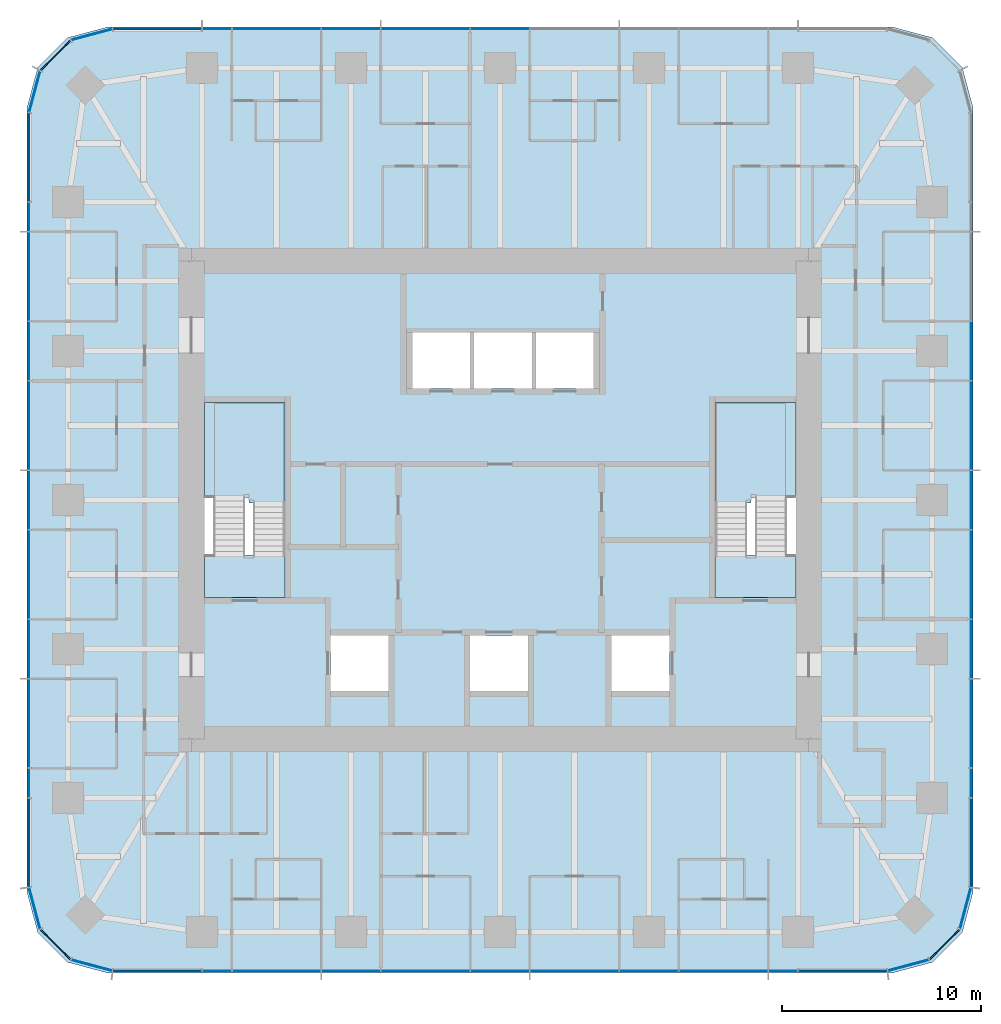
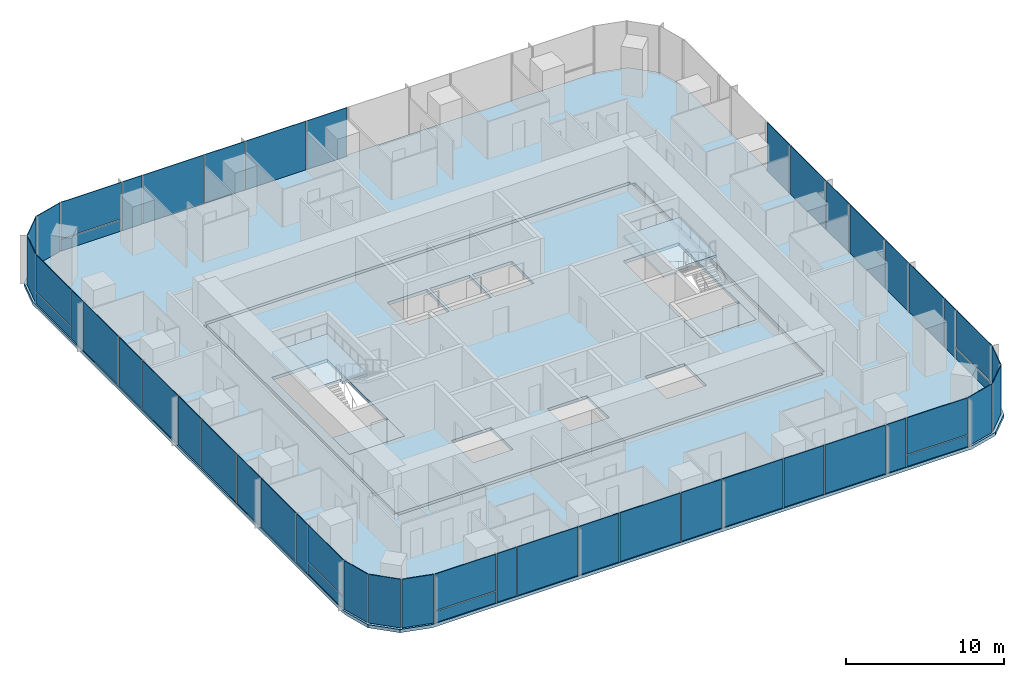
# One storey, part 7 of 12: 51 plates, 6 slabs, 9 elements without a shape of their own.
"""IFC4 building model written with IfcOpenShell, lengths in metres."""

from ifc_helpers import new_model, si_unit, direction, frame, origin, origin_2d, place, context, subcontext, project, spatial, polyline, rectangle, outline, extrude, material, layer, layer_set, type_object, element, aggregate, save


model = new_model("IFC4")

# Units and contexts
model_context = context("Model", 3, precision=1e-05, world=origin(), true_north=direction((0.0, 1.0)))
body_context = subcontext(model_context, "Body", "Model", "MODEL_VIEW")
ifc_project = project(units=[si_unit("LENGTHUNIT", "METRE"), si_unit("AREAUNIT", "SQUARE_METRE"), si_unit("VOLUMEUNIT", "CUBIC_METRE"), si_unit("PLANEANGLEUNIT", "RADIAN"), si_unit("MASSUNIT", "GRAM", prefix="KILO")], contexts=[model_context])

# Site, building, storey
site_placement = place(None, origin())
site = spatial("IfcSite", under=ifc_project, at=site_placement, CompositionType="ELEMENT")
building_placement = place(site_placement, origin())
building = spatial("IfcBuilding", under=site, at=building_placement, Name="Khuree Lantern Residences", CompositionType="ELEMENT")
storey_placement = place(building_placement, frame((0.0, 0.0, 300.75)))
storey = spatial("IfcBuildingStorey", under=building, at=storey_placement, Name="L75", CompositionType="ELEMENT", Elevation=300.75)

# Slab
ifc_material_1 = material(Name="Concrete C35/45", Category="concrete")
ifc_layer_1 = layer(ifc_material_1, 0.25)
ifc_layer_set_1 = layer_set([ifc_layer_1], Name="CFL250 CORE FLOOR SLAB 250")
slab_type_1 = type_object("IfcSlabType", Name="CFL250 CORE FLOOR SLAB 250", PredefinedType="FLOOR", material=ifc_layer_set_1)
slab_1_placement = place(storey_placement, frame((0.0, 0.0, -0.25)))
element("IfcSlab", 1, at=slab_1_placement, inside=storey, type_object=slab_type_1, Name="Core floor L75", PredefinedType="FLOOR", context=body_context, shape_type="SweptSolid", body=[
    extrude(outline(polyline([(-15.5, -12.0), (-15.5, 12.0), (15.5, 12.0), (15.5, -12.0), (-15.5, -12.0)]), holes=[polyline([(10.800048828125, 4.89990234375), (10.800048828125, -4.89990234375), (14.85009765625, -4.89990234375), (14.85009765625, 4.89990234375), (10.800048828125, 4.89990234375)]), polyline([(5.60009765625, -6.800048828125), (5.60009765625, -9.60009765625), (8.5, -9.60009765625), (8.5, -6.800048828125), (5.60009765625, -6.800048828125)]), polyline([(1.800048828125, 8.39990234375), (1.800048828125, 5.60009765625), (4.699951171875, 5.60009765625), (4.699951171875, 8.39990234375), (1.800048828125, 8.39990234375)]), polyline([(-1.300048828125, 8.39990234375), (-1.300048828125, 5.60009765625), (1.60009765625, 5.60009765625), (1.60009765625, 8.39990234375), (-1.300048828125, 8.39990234375)]), polyline([(-1.5, -6.800048828125), (-1.5, -9.60009765625), (1.39990234375, -9.60009765625), (1.39990234375, -6.800048828125), (-1.5, -6.800048828125)]), polyline([(-4.39990234375, 8.39990234375), (-4.39990234375, 5.60009765625), (-1.5, 5.60009765625), (-1.5, 8.39990234375), (-4.39990234375, 8.39990234375)]), polyline([(-8.5, -6.800048828125), (-8.5, -9.60009765625), (-5.60009765625, -9.60009765625), (-5.60009765625, -6.800048828125), (-8.5, -6.800048828125)]), polyline([(-14.85009765625, 4.89990234375), (-14.85009765625, -4.89990234375), (-10.800048828125, -4.89990234375), (-10.800048828125, 4.89990234375), (-14.85009765625, 4.89990234375)])]), origin(), (0.0, 0.0, 1.0), 0.25),
])

# Curtain wall, plates
ifc_material_2 = material(Name="Bronze anodised aluminium", Category="aluminium")
curtain_wall_type_1 = type_object("IfcCurtainWallType", Name="CW-T2 TOWER CORNER CURTAIN WALL", PredefinedType="USERDEFINED", material=ifc_material_2)
curtain_wall_1_placement = place(storey_placement, origin())
curtain_wall_1 = element("IfcCurtainWall", 2, at=curtain_wall_1_placement, inside=storey, type_object=curtain_wall_type_1, Name="L75 SOUTH-EAST CORNER CURTAIN WALL", ObjectType="Faceted corner curtain wall", PredefinedType="USERDEFINED")
ifc_material_3 = material(Name="Bronze tinted triple glazing", Category="glass")
ifc_layer_2 = layer(ifc_material_3, 0.048095703125)
ifc_layer_set_2 = layer_set([ifc_layer_2], Name="FACET PANEL P4")
plate_type_1 = type_object("IfcPlateType", Name="FACET PANEL P4", PredefinedType="CURTAIN_PANEL", material=ifc_layer_set_2)
plate_1_placement = place(storey_placement, frame((20.498046875, -23.369140625, 0.0), z_axis=(0.0, 0.0, 1.0), x_axis=(0.965925861257, 0.2588189146, 0.0)))
plate_1 = element("IfcPlate", 3, at=plate_1_placement, type_object=plate_type_1, Name="L75 SOUTH-EAST CORNER PANEL 1.1", PredefinedType="CURTAIN_PANEL", context=body_context, shape_type="SweptSolid", body=[
    extrude(rectangle(XDim=2.09814453125, YDim=0.048095703125, at=origin_2d()), origin(), (0.0, 0.0, 1.0), 3.75),
])
plate_2_placement = place(storey_placement, frame((22.318603515625, -22.318603515625, 0.0), z_axis=(0.0, 0.0, 1.0), x_axis=(0.707106781187, 0.707106781187, 0.0)))
plate_2 = element("IfcPlate", 4, at=plate_2_placement, type_object=plate_type_1, Name="L75 SOUTH-EAST CORNER PANEL 2.1", PredefinedType="CURTAIN_PANEL", context=body_context, shape_type="SweptSolid", body=[
    extrude(rectangle(XDim=2.093994140625, YDim=0.048095703125, at=origin_2d()), origin(), (0.0, 0.0, 1.0), 3.75),
])
plate_3_placement = place(storey_placement, frame((23.369140625, -20.498046875, 0.0), z_axis=(0.0, 0.0, 1.0), x_axis=(0.2588189146, 0.965925861257, 0.0)))
plate_3 = element("IfcPlate", 5, at=plate_3_placement, type_object=plate_type_1, Name="L75 SOUTH-EAST CORNER PANEL 3.1", PredefinedType="CURTAIN_PANEL", context=body_context, shape_type="SweptSolid", body=[
    extrude(rectangle(XDim=2.09814453125, YDim=0.048095703125, at=origin_2d()), origin(), (0.0, 0.0, 1.0), 3.75),
])
aggregate(curtain_wall_1, [plate_1, plate_2, plate_3])

curtain_wall_2_placement = place(storey_placement, origin())
curtain_wall_2 = element("IfcCurtainWall", 6, at=curtain_wall_2_placement, inside=storey, type_object=curtain_wall_type_1, Name="L75 NORTH-WEST CORNER CURTAIN WALL", ObjectType="Faceted corner curtain wall", PredefinedType="USERDEFINED")
plate_4_placement = place(storey_placement, frame((-20.498046875, 23.369140625, 0.0), z_axis=(0.0, 0.0, 1.0), x_axis=(-0.965925861257, -0.2588189146, 0.0)))
plate_4 = element("IfcPlate", 7, at=plate_4_placement, type_object=plate_type_1, Name="L75 NORTH-WEST CORNER PANEL 29.1", PredefinedType="CURTAIN_PANEL", context=body_context, shape_type="SweptSolid", body=[
    extrude(rectangle(XDim=2.09814453125, YDim=0.048095703125, at=origin_2d()), origin(), (0.0, 0.0, 1.0), 3.75),
])
plate_5_placement = place(storey_placement, frame((-22.318603515625, 22.318603515625, 0.0), z_axis=(0.0, 0.0, 1.0), x_axis=(-0.707106781187, -0.707106781187, 0.0)))
plate_5 = element("IfcPlate", 8, at=plate_5_placement, type_object=plate_type_1, Name="L75 NORTH-WEST CORNER PANEL 30.1", PredefinedType="CURTAIN_PANEL", context=body_context, shape_type="SweptSolid", body=[
    extrude(rectangle(XDim=2.093994140625, YDim=0.048095703125, at=origin_2d()), origin(), (0.0, 0.0, 1.0), 3.75),
])
plate_6_placement = place(storey_placement, frame((-23.369140625, 20.498046875, 0.0), z_axis=(0.0, 0.0, 1.0), x_axis=(-0.2588189146, -0.965925861257, 0.0)))
plate_6 = element("IfcPlate", 9, at=plate_6_placement, type_object=plate_type_1, Name="L75 NORTH-WEST CORNER PANEL 31.1", PredefinedType="CURTAIN_PANEL", context=body_context, shape_type="SweptSolid", body=[
    extrude(rectangle(XDim=2.09814453125, YDim=0.048095703125, at=origin_2d()), origin(), (0.0, 0.0, 1.0), 3.75),
])
aggregate(curtain_wall_2, [plate_4, plate_5, plate_6])

curtain_wall_3_placement = place(storey_placement, origin())
curtain_wall_3 = element("IfcCurtainWall", 10, at=curtain_wall_3_placement, inside=storey, type_object=curtain_wall_type_1, Name="L75 SOUTH-WEST CORNER CURTAIN WALL", ObjectType="Faceted corner curtain wall", PredefinedType="USERDEFINED")
plate_7_placement = place(storey_placement, frame((-23.369140625, -20.498046875, 0.0), z_axis=(0.0, 0.0, 1.0), x_axis=(0.2588189146, -0.965925861257, 0.0)))
plate_7 = element("IfcPlate", 11, at=plate_7_placement, type_object=plate_type_1, Name="L75 SOUTH-WEST CORNER PANEL 43.1", PredefinedType="CURTAIN_PANEL", context=body_context, shape_type="SweptSolid", body=[
    extrude(rectangle(XDim=2.09814453125, YDim=0.048095703125, at=origin_2d()), origin(), (0.0, 0.0, 1.0), 3.75),
])
plate_8_placement = place(storey_placement, frame((-22.318603515625, -22.318603515625, 0.0), z_axis=(0.0, 0.0, 1.0), x_axis=(0.707106781187, -0.707106781187, 0.0)))
plate_8 = element("IfcPlate", 12, at=plate_8_placement, type_object=plate_type_1, Name="L75 SOUTH-WEST CORNER PANEL 44.1", PredefinedType="CURTAIN_PANEL", context=body_context, shape_type="SweptSolid", body=[
    extrude(rectangle(XDim=2.093994140625, YDim=0.048095703125, at=origin_2d()), origin(), (0.0, 0.0, 1.0), 3.75),
])
plate_9_placement = place(storey_placement, frame((-20.498046875, -23.369140625, 0.0), z_axis=(0.0, 0.0, 1.0), x_axis=(0.965925861257, -0.2588189146, 0.0)))
plate_9 = element("IfcPlate", 13, at=plate_9_placement, type_object=plate_type_1, Name="L75 SOUTH-WEST CORNER PANEL 45.1", PredefinedType="CURTAIN_PANEL", context=body_context, shape_type="SweptSolid", body=[
    extrude(rectangle(XDim=2.09814453125, YDim=0.048095703125, at=origin_2d()), origin(), (0.0, 0.0, 1.0), 3.75),
])
aggregate(curtain_wall_3, [plate_7, plate_8, plate_9])

curtain_wall_type_2 = type_object("IfcCurtainWallType", Name="CW-T1 TOWER FACE CURTAIN WALL", PredefinedType="USERDEFINED", material=ifc_material_2)
curtain_wall_4_placement = place(storey_placement, origin())
curtain_wall_4 = element("IfcCurtainWall", 14, at=curtain_wall_4_placement, inside=storey, type_object=curtain_wall_type_2, Name="L75 EAST FACE CURTAIN WALL", ObjectType="Stick-built curtain wall", PredefinedType="USERDEFINED")
ifc_material_4 = material(Name="Bronze tinted triple glazing with a ceramic-fritted spandrel band", Category="glass")
ifc_layer_3 = layer(ifc_material_4, 0.048095703125)
ifc_layer_set_3 = layer_set([ifc_layer_3], Name="FIXED LIGHT PANEL P11")
plate_type_2 = type_object("IfcPlateType", Name="FIXED LIGHT PANEL P11", PredefinedType="CURTAIN_PANEL", material=ifc_layer_set_3)
plate_10_placement = place(storey_placement, frame((23.64990234375, -11.219970703125, 0.0), z_axis=(0.0, 0.0, 1.0), x_axis=(0.0, 1.0, 0.0)))
plate_10 = element("IfcPlate", 15, at=plate_10_placement, type_object=plate_type_2, Name="L75 EAST FACE PANEL 6.1", PredefinedType="CURTAIN_PANEL", context=body_context, shape_type="SweptSolid", body=[
    extrude(rectangle(XDim=4.423095703125, YDim=0.048095703125, at=origin_2d()), origin(), (0.0, 0.0, 1.0), 3.75),
])
plate_11_placement = place(storey_placement, frame((23.64990234375, -3.739990234375, 0.0), z_axis=(0.0, 0.0, 1.0), x_axis=(0.0, 1.0, 0.0)))
plate_11 = element("IfcPlate", 16, at=plate_11_placement, type_object=plate_type_2, Name="L75 EAST FACE PANEL 8.1", PredefinedType="CURTAIN_PANEL", context=body_context, shape_type="SweptSolid", body=[
    extrude(rectangle(XDim=4.423095703125, YDim=0.048095703125, at=origin_2d()), origin(), (0.0, 0.0, 1.0), 3.75),
])
plate_12_placement = place(storey_placement, frame((23.64990234375, 3.739990234375, 0.0), z_axis=(0.0, 0.0, 1.0), x_axis=(0.0, 1.0, 0.0)))
plate_12 = element("IfcPlate", 17, at=plate_12_placement, type_object=plate_type_2, Name="L75 EAST FACE PANEL 10.1", PredefinedType="CURTAIN_PANEL", context=body_context, shape_type="SweptSolid", body=[
    extrude(rectangle(XDim=4.423095703125, YDim=0.048095703125, at=origin_2d()), origin(), (0.0, 0.0, 1.0), 3.75),
])

curtain_wall_5_placement = place(storey_placement, origin())
curtain_wall_5 = element("IfcCurtainWall", 18, at=curtain_wall_5_placement, inside=storey, type_object=curtain_wall_type_2, Name="L75 NORTH FACE CURTAIN WALL", ObjectType="Stick-built curtain wall", PredefinedType="USERDEFINED")
plate_13_placement = place(storey_placement, frame((-3.739990234375, 23.64990234375, 0.0), z_axis=(0.0, 0.0, 1.0), x_axis=(-1.0, 0.0, 0.0)))
plate_13 = element("IfcPlate", 19, at=plate_13_placement, type_object=plate_type_2, Name="L75 NORTH FACE PANEL 24.1", PredefinedType="CURTAIN_PANEL", context=body_context, shape_type="SweptSolid", body=[
    extrude(rectangle(XDim=4.423095703125, YDim=0.048095703125, at=origin_2d()), origin(), (0.0, 0.0, 1.0), 3.75),
])
plate_14_placement = place(storey_placement, frame((-11.219970703125, 23.64990234375, 0.0), z_axis=(0.0, 0.0, 1.0), x_axis=(-1.0, 0.0, 0.0)))
plate_14 = element("IfcPlate", 20, at=plate_14_placement, type_object=plate_type_2, Name="L75 NORTH FACE PANEL 26.1", PredefinedType="CURTAIN_PANEL", context=body_context, shape_type="SweptSolid", body=[
    extrude(rectangle(XDim=4.423095703125, YDim=0.048095703125, at=origin_2d()), origin(), (0.0, 0.0, 1.0), 3.75),
])

curtain_wall_6_placement = place(storey_placement, origin())
curtain_wall_6 = element("IfcCurtainWall", 21, at=curtain_wall_6_placement, inside=storey, type_object=curtain_wall_type_2, Name="L75 WEST FACE CURTAIN WALL", ObjectType="Stick-built curtain wall", PredefinedType="USERDEFINED")
plate_15_placement = place(storey_placement, frame((-23.64990234375, 11.219970703125, 0.0), z_axis=(0.0, 0.0, 1.0), x_axis=(0.0, -1.0, 0.0)))
plate_15 = element("IfcPlate", 22, at=plate_15_placement, type_object=plate_type_2, Name="L75 WEST FACE PANEL 34.1", PredefinedType="CURTAIN_PANEL", context=body_context, shape_type="SweptSolid", body=[
    extrude(rectangle(XDim=4.423095703125, YDim=0.048095703125, at=origin_2d()), origin(), (0.0, 0.0, 1.0), 3.75),
])
plate_16_placement = place(storey_placement, frame((-23.64990234375, 3.739990234375, 0.0), z_axis=(0.0, 0.0, 1.0), x_axis=(0.0, -1.0, 0.0)))
plate_16 = element("IfcPlate", 23, at=plate_16_placement, type_object=plate_type_2, Name="L75 WEST FACE PANEL 36.1", PredefinedType="CURTAIN_PANEL", context=body_context, shape_type="SweptSolid", body=[
    extrude(rectangle(XDim=4.423095703125, YDim=0.048095703125, at=origin_2d()), origin(), (0.0, 0.0, 1.0), 3.75),
])
plate_17_placement = place(storey_placement, frame((-23.64990234375, -3.739990234375, 0.0), z_axis=(0.0, 0.0, 1.0), x_axis=(0.0, -1.0, 0.0)))
plate_17 = element("IfcPlate", 24, at=plate_17_placement, type_object=plate_type_2, Name="L75 WEST FACE PANEL 38.1", PredefinedType="CURTAIN_PANEL", context=body_context, shape_type="SweptSolid", body=[
    extrude(rectangle(XDim=4.423095703125, YDim=0.048095703125, at=origin_2d()), origin(), (0.0, 0.0, 1.0), 3.75),
])
plate_18_placement = place(storey_placement, frame((-23.64990234375, -11.219970703125, 0.0), z_axis=(0.0, 0.0, 1.0), x_axis=(0.0, -1.0, 0.0)))
plate_18 = element("IfcPlate", 25, at=plate_18_placement, type_object=plate_type_2, Name="L75 WEST FACE PANEL 40.1", PredefinedType="CURTAIN_PANEL", context=body_context, shape_type="SweptSolid", body=[
    extrude(rectangle(XDim=4.423095703125, YDim=0.048095703125, at=origin_2d()), origin(), (0.0, 0.0, 1.0), 3.75),
])

curtain_wall_7_placement = place(storey_placement, origin())
curtain_wall_7 = element("IfcCurtainWall", 26, at=curtain_wall_7_placement, inside=storey, type_object=curtain_wall_type_2, Name="L75 SOUTH FACE CURTAIN WALL", ObjectType="Stick-built curtain wall", PredefinedType="USERDEFINED")
plate_19_placement = place(storey_placement, frame((-11.219970703125, -23.64990234375, 0.0), z_axis=(0.0, 0.0, 1.0), x_axis=(1.0, 0.0, 0.0)))
plate_19 = element("IfcPlate", 27, at=plate_19_placement, type_object=plate_type_2, Name="L75 SOUTH FACE PANEL 48.1", PredefinedType="CURTAIN_PANEL", context=body_context, shape_type="SweptSolid", body=[
    extrude(rectangle(XDim=4.423095703125, YDim=0.048095703125, at=origin_2d()), origin(), (0.0, 0.0, 1.0), 3.75),
])
plate_20_placement = place(storey_placement, frame((-3.739990234375, -23.64990234375, 0.0), z_axis=(0.0, 0.0, 1.0), x_axis=(1.0, 0.0, 0.0)))
plate_20 = element("IfcPlate", 28, at=plate_20_placement, type_object=plate_type_2, Name="L75 SOUTH FACE PANEL 50.1", PredefinedType="CURTAIN_PANEL", context=body_context, shape_type="SweptSolid", body=[
    extrude(rectangle(XDim=4.423095703125, YDim=0.048095703125, at=origin_2d()), origin(), (0.0, 0.0, 1.0), 3.75),
])
plate_21_placement = place(storey_placement, frame((3.739990234375, -23.64990234375, 0.0), z_axis=(0.0, 0.0, 1.0), x_axis=(1.0, 0.0, 0.0)))
plate_21 = element("IfcPlate", 29, at=plate_21_placement, type_object=plate_type_2, Name="L75 SOUTH FACE PANEL 52.1", PredefinedType="CURTAIN_PANEL", context=body_context, shape_type="SweptSolid", body=[
    extrude(rectangle(XDim=4.423095703125, YDim=0.048095703125, at=origin_2d()), origin(), (0.0, 0.0, 1.0), 3.75),
])
plate_22_placement = place(storey_placement, frame((11.219970703125, -23.64990234375, 0.0), z_axis=(0.0, 0.0, 1.0), x_axis=(1.0, 0.0, 0.0)))
plate_22 = element("IfcPlate", 30, at=plate_22_placement, type_object=plate_type_2, Name="L75 SOUTH FACE PANEL 54.1", PredefinedType="CURTAIN_PANEL", context=body_context, shape_type="SweptSolid", body=[
    extrude(rectangle(XDim=4.423095703125, YDim=0.048095703125, at=origin_2d()), origin(), (0.0, 0.0, 1.0), 3.75),
])

# Slab
ifc_layer_4 = layer(ifc_material_1, 0.25)
ifc_layer_set_4 = layer_set([ifc_layer_4], Name="FS250 FLOOR SLAB 250")
slab_type_2 = type_object("IfcSlabType", Name="FS250 FLOOR SLAB 250", PredefinedType="FLOOR", material=ifc_layer_set_4)
slab_2_placement = place(storey_placement, frame((0.0, 0.0, -0.25)))
element("IfcSlab", 31, at=slab_2_placement, inside=storey, type_object=slab_type_2, Name="Floor slab L75", PredefinedType="FLOOR", context=body_context, shape_type="SweptSolid", body=[
    extrude(outline(polyline([(-21.72509765625, -23.20751953125), (-23.20751953125, -21.72509765625), (-23.75, -19.699951171875), (-23.75, 19.699951171875), (-23.20751953125, 21.72509765625), (-21.72509765625, 23.20751953125), (-19.699951171875, 23.75), (19.699951171875, 23.75), (21.72509765625, 23.20751953125), (23.20751953125, 21.72509765625), (23.75, 19.699951171875), (23.75, -19.699951171875), (23.20751953125, -21.72509765625), (21.72509765625, -23.20751953125), (19.699951171875, -23.75), (-19.699951171875, -23.75), (-21.72509765625, -23.20751953125)]), holes=[polyline([(15.75, 12.0), (15.5, 12.0), (15.5, 12.25), (-15.5, 12.25), (-15.5, 12.0), (-15.75, 12.0), (-15.75, -12.0), (-15.5, -12.0), (-15.5, -12.25), (15.5, -12.25), (15.5, -12.0), (15.75, -12.0), (15.75, 12.0)])]), origin(), (0.0, 0.0, 1.0), 0.25),
])

# Plate
ifc_material_5 = material(Name="Bronze tinted triple glazing, two aluminium-framed sashes in one frame", Category="aluminium")
ifc_layer_5 = layer(ifc_material_5, 0.048095703125)
ifc_layer_set_5 = layer_set([ifc_layer_5], Name="SASH PAIR PANEL P12")
plate_type_3 = type_object("IfcPlateType", Name="SASH PAIR PANEL P12", PredefinedType="CURTAIN_PANEL", material=ifc_layer_set_5)
plate_23_placement = place(storey_placement, frame((23.64990234375, -7.47998046875, 0.0), z_axis=(0.0, 0.0, 1.0), x_axis=(0.0, 1.0, 0.0)))
plate_23 = element("IfcPlate", 32, at=plate_23_placement, type_object=plate_type_3, Name="L75 EAST FACE PANEL 7.1", PredefinedType="CURTAIN_PANEL", context=body_context, shape_type="SweptSolid", body=[
    extrude(rectangle(XDim=2.927001953125, YDim=0.048095703125, at=origin_2d()), origin(), (0.0, 0.0, 1.0), 3.75),
])

plate_24_placement = place(storey_placement, frame((23.64990234375, 0.0, 0.0), z_axis=(0.0, 0.0, 1.0), x_axis=(0.0, 1.0, 0.0)))
plate_24 = element("IfcPlate", 33, at=plate_24_placement, type_object=plate_type_3, Name="L75 EAST FACE PANEL 9.1", PredefinedType="CURTAIN_PANEL", context=body_context, shape_type="SweptSolid", body=[
    extrude(rectangle(XDim=2.927001953125, YDim=0.048095703125, at=origin_2d()), origin(), (0.0, 0.0, 1.0), 3.75),
])

plate_25_placement = place(storey_placement, frame((23.64990234375, 7.47998046875, 0.0), z_axis=(0.0, 0.0, 1.0), x_axis=(0.0, 1.0, 0.0)))
plate_25 = element("IfcPlate", 34, at=plate_25_placement, type_object=plate_type_3, Name="L75 EAST FACE PANEL 11.1", PredefinedType="CURTAIN_PANEL", context=body_context, shape_type="SweptSolid", body=[
    extrude(rectangle(XDim=2.927001953125, YDim=0.048095703125, at=origin_2d()), origin(), (0.0, 0.0, 1.0), 3.75),
])

plate_26_placement = place(storey_placement, frame((0.0, 23.64990234375, 0.0), z_axis=(0.0, 0.0, 1.0), x_axis=(-1.0, 0.0, 0.0)))
plate_26 = element("IfcPlate", 35, at=plate_26_placement, type_object=plate_type_3, Name="L75 NORTH FACE PANEL 23.1", PredefinedType="CURTAIN_PANEL", context=body_context, shape_type="SweptSolid", body=[
    extrude(rectangle(XDim=2.927001953125, YDim=0.048095703125, at=origin_2d()), origin(), (0.0, 0.0, 1.0), 3.75),
])

plate_27_placement = place(storey_placement, frame((-7.47998046875, 23.64990234375, 0.0), z_axis=(0.0, 0.0, 1.0), x_axis=(-1.0, 0.0, 0.0)))
plate_27 = element("IfcPlate", 36, at=plate_27_placement, type_object=plate_type_3, Name="L75 NORTH FACE PANEL 25.1", PredefinedType="CURTAIN_PANEL", context=body_context, shape_type="SweptSolid", body=[
    extrude(rectangle(XDim=2.927001953125, YDim=0.048095703125, at=origin_2d()), origin(), (0.0, 0.0, 1.0), 3.75),
])

plate_28_placement = place(storey_placement, frame((-23.64990234375, 7.47998046875, 0.0), z_axis=(0.0, 0.0, 1.0), x_axis=(0.0, -1.0, 0.0)))
plate_28 = element("IfcPlate", 37, at=plate_28_placement, type_object=plate_type_3, Name="L75 WEST FACE PANEL 35.1", PredefinedType="CURTAIN_PANEL", context=body_context, shape_type="SweptSolid", body=[
    extrude(rectangle(XDim=2.927001953125, YDim=0.048095703125, at=origin_2d()), origin(), (0.0, 0.0, 1.0), 3.75),
])

plate_29_placement = place(storey_placement, frame((-23.64990234375, 0.0, 0.0), z_axis=(0.0, 0.0, 1.0), x_axis=(0.0, -1.0, 0.0)))
plate_29 = element("IfcPlate", 38, at=plate_29_placement, type_object=plate_type_3, Name="L75 WEST FACE PANEL 37.1", PredefinedType="CURTAIN_PANEL", context=body_context, shape_type="SweptSolid", body=[
    extrude(rectangle(XDim=2.927001953125, YDim=0.048095703125, at=origin_2d()), origin(), (0.0, 0.0, 1.0), 3.75),
])

plate_30_placement = place(storey_placement, frame((-23.64990234375, -7.47998046875, 0.0), z_axis=(0.0, 0.0, 1.0), x_axis=(0.0, -1.0, 0.0)))
plate_30 = element("IfcPlate", 39, at=plate_30_placement, type_object=plate_type_3, Name="L75 WEST FACE PANEL 39.1", PredefinedType="CURTAIN_PANEL", context=body_context, shape_type="SweptSolid", body=[
    extrude(rectangle(XDim=2.927001953125, YDim=0.048095703125, at=origin_2d()), origin(), (0.0, 0.0, 1.0), 3.75),
])

plate_31_placement = place(storey_placement, frame((-7.47998046875, -23.64990234375, 0.0), z_axis=(0.0, 0.0, 1.0), x_axis=(1.0, 0.0, 0.0)))
plate_31 = element("IfcPlate", 40, at=plate_31_placement, type_object=plate_type_3, Name="L75 SOUTH FACE PANEL 49.1", PredefinedType="CURTAIN_PANEL", context=body_context, shape_type="SweptSolid", body=[
    extrude(rectangle(XDim=2.927001953125, YDim=0.048095703125, at=origin_2d()), origin(), (0.0, 0.0, 1.0), 3.75),
])

plate_32_placement = place(storey_placement, frame((0.0, -23.64990234375, 0.0), z_axis=(0.0, 0.0, 1.0), x_axis=(1.0, 0.0, 0.0)))
plate_32 = element("IfcPlate", 41, at=plate_32_placement, type_object=plate_type_3, Name="L75 SOUTH FACE PANEL 51.1", PredefinedType="CURTAIN_PANEL", context=body_context, shape_type="SweptSolid", body=[
    extrude(rectangle(XDim=2.927001953125, YDim=0.048095703125, at=origin_2d()), origin(), (0.0, 0.0, 1.0), 3.75),
])

plate_33_placement = place(storey_placement, frame((7.47998046875, -23.64990234375, 0.0), z_axis=(0.0, 0.0, 1.0), x_axis=(1.0, 0.0, 0.0)))
plate_33 = element("IfcPlate", 42, at=plate_33_placement, type_object=plate_type_3, Name="L75 SOUTH FACE PANEL 53.1", PredefinedType="CURTAIN_PANEL", context=body_context, shape_type="SweptSolid", body=[
    extrude(rectangle(XDim=2.927001953125, YDim=0.048095703125, at=origin_2d()), origin(), (0.0, 0.0, 1.0), 3.75),
])

ifc_material_6 = material(Name="Bronze tinted triple glazing, aluminium-framed sash", Category="aluminium")
ifc_layer_6 = layer(ifc_material_6, 0.048095703125)
ifc_layer_set_6 = layer_set([ifc_layer_6], Name="SASH PANEL P3")
plate_type_4 = type_object("IfcPlateType", Name="SASH PANEL P3", PredefinedType="CURTAIN_PANEL", material=ifc_layer_set_6)
plate_34_placement = place(storey_placement, frame((23.64990234375, -14.2119140625, 0.0), z_axis=(0.0, 0.0, 1.0), x_axis=(0.0, 1.0, 0.0)))
plate_34 = element("IfcPlate", 43, at=plate_34_placement, type_object=plate_type_4, Name="L75 EAST FACE PANEL 5.1", PredefinedType="CURTAIN_PANEL", context=body_context, shape_type="SweptSolid", body=[
    extrude(rectangle(XDim=1.430908203125, YDim=0.048095703125, at=origin_2d()), origin(), (0.0, 0.0, 1.0), 3.75),
])

plate_35_placement = place(storey_placement, frame((-14.2119140625, 23.64990234375, 0.0), z_axis=(0.0, 0.0, 1.0), x_axis=(-1.0, 0.0, 0.0)))
plate_35 = element("IfcPlate", 44, at=plate_35_placement, type_object=plate_type_4, Name="L75 NORTH FACE PANEL 27.1", PredefinedType="CURTAIN_PANEL", context=body_context, shape_type="SweptSolid", body=[
    extrude(rectangle(XDim=1.430908203125, YDim=0.048095703125, at=origin_2d()), origin(), (0.0, 0.0, 1.0), 3.75),
])

plate_36_placement = place(storey_placement, frame((-23.64990234375, 14.2119140625, 0.0), z_axis=(0.0, 0.0, 1.0), x_axis=(0.0, -1.0, 0.0)))
plate_36 = element("IfcPlate", 45, at=plate_36_placement, type_object=plate_type_4, Name="L75 WEST FACE PANEL 33.1", PredefinedType="CURTAIN_PANEL", context=body_context, shape_type="SweptSolid", body=[
    extrude(rectangle(XDim=1.430908203125, YDim=0.048095703125, at=origin_2d()), origin(), (0.0, 0.0, 1.0), 3.75),
])

plate_37_placement = place(storey_placement, frame((-23.64990234375, -14.2119140625, 0.0), z_axis=(0.0, 0.0, 1.0), x_axis=(0.0, -1.0, 0.0)))
plate_37 = element("IfcPlate", 46, at=plate_37_placement, type_object=plate_type_4, Name="L75 WEST FACE PANEL 41.1", PredefinedType="CURTAIN_PANEL", context=body_context, shape_type="SweptSolid", body=[
    extrude(rectangle(XDim=1.430908203125, YDim=0.048095703125, at=origin_2d()), origin(), (0.0, 0.0, 1.0), 3.75),
])

plate_38_placement = place(storey_placement, frame((-14.2119140625, -23.64990234375, 0.0), z_axis=(0.0, 0.0, 1.0), x_axis=(1.0, 0.0, 0.0)))
plate_38 = element("IfcPlate", 47, at=plate_38_placement, type_object=plate_type_4, Name="L75 SOUTH FACE PANEL 47.1", PredefinedType="CURTAIN_PANEL", context=body_context, shape_type="SweptSolid", body=[
    extrude(rectangle(XDim=1.430908203125, YDim=0.048095703125, at=origin_2d()), origin(), (0.0, 0.0, 1.0), 3.75),
])

plate_39_placement = place(storey_placement, frame((14.2119140625, -23.64990234375, 0.0), z_axis=(0.0, 0.0, 1.0), x_axis=(1.0, 0.0, 0.0)))
plate_39 = element("IfcPlate", 48, at=plate_39_placement, type_object=plate_type_4, Name="L75 SOUTH FACE PANEL 55.1", PredefinedType="CURTAIN_PANEL", context=body_context, shape_type="SweptSolid", body=[
    extrude(rectangle(XDim=1.430908203125, YDim=0.048095703125, at=origin_2d()), origin(), (0.0, 0.0, 1.0), 3.75),
])

ifc_material_7 = material(Name="Bronze anodised aluminium insulated spandrel", Category="aluminium")
ifc_layer_7 = layer(ifc_material_7, 0.06005859375)
ifc_layer_set_7 = layer_set([ifc_layer_7], Name="SPANDREL PANEL P2")
plate_type_5 = type_object("IfcPlateType", Name="SPANDREL PANEL P2", PredefinedType="CURTAIN_PANEL", material=ifc_layer_set_7)
plate_40_placement = place(storey_placement, frame((23.64990234375, -17.202880859375, 0.0), z_axis=(0.0, 0.0, 1.0), x_axis=(0.0, 1.0, 0.0)))
plate_40 = element("IfcPlate", 49, at=plate_40_placement, type_object=plate_type_5, Name="L75 EAST FACE PANEL 4.1", PredefinedType="CURTAIN_PANEL", context=body_context, shape_type="SweptSolid", body=[
    extrude(rectangle(XDim=4.420654296875, YDim=0.06005859375, at=origin_2d()), origin(), (0.0, 0.0, 1.0), 0.867431640625),
])

plate_41_placement = place(storey_placement, frame((-17.202880859375, 23.64990234375, 0.0), z_axis=(0.0, 0.0, 1.0), x_axis=(-1.0, 0.0, 0.0)))
plate_41 = element("IfcPlate", 50, at=plate_41_placement, type_object=plate_type_5, Name="L75 NORTH FACE PANEL 28.1", PredefinedType="CURTAIN_PANEL", context=body_context, shape_type="SweptSolid", body=[
    extrude(rectangle(XDim=4.420654296875, YDim=0.06005859375, at=origin_2d()), origin(), (0.0, 0.0, 1.0), 0.867431640625),
])

plate_42_placement = place(storey_placement, frame((-23.64990234375, 17.202880859375, 0.0), z_axis=(0.0, 0.0, 1.0), x_axis=(0.0, -1.0, 0.0)))
plate_42 = element("IfcPlate", 51, at=plate_42_placement, type_object=plate_type_5, Name="L75 WEST FACE PANEL 32.1", PredefinedType="CURTAIN_PANEL", context=body_context, shape_type="SweptSolid", body=[
    extrude(rectangle(XDim=4.420654296875, YDim=0.06005859375, at=origin_2d()), origin(), (0.0, 0.0, 1.0), 0.867431640625),
])

plate_43_placement = place(storey_placement, frame((-23.64990234375, -17.202880859375, 0.0), z_axis=(0.0, 0.0, 1.0), x_axis=(0.0, -1.0, 0.0)))
plate_43 = element("IfcPlate", 52, at=plate_43_placement, type_object=plate_type_5, Name="L75 WEST FACE PANEL 42.1", PredefinedType="CURTAIN_PANEL", context=body_context, shape_type="SweptSolid", body=[
    extrude(rectangle(XDim=4.420654296875, YDim=0.06005859375, at=origin_2d()), origin(), (0.0, 0.0, 1.0), 0.867431640625),
])

plate_44_placement = place(storey_placement, frame((-17.202880859375, -23.64990234375, 0.0), z_axis=(0.0, 0.0, 1.0), x_axis=(1.0, 0.0, 0.0)))
plate_44 = element("IfcPlate", 53, at=plate_44_placement, type_object=plate_type_5, Name="L75 SOUTH FACE PANEL 46.1", PredefinedType="CURTAIN_PANEL", context=body_context, shape_type="SweptSolid", body=[
    extrude(rectangle(XDim=4.420654296875, YDim=0.06005859375, at=origin_2d()), origin(), (0.0, 0.0, 1.0), 0.867431640625),
])

plate_45_placement = place(storey_placement, frame((17.202880859375, -23.64990234375, 0.0), z_axis=(0.0, 0.0, 1.0), x_axis=(1.0, 0.0, 0.0)))
plate_45 = element("IfcPlate", 54, at=plate_45_placement, type_object=plate_type_5, Name="L75 SOUTH FACE PANEL 56.1", PredefinedType="CURTAIN_PANEL", context=body_context, shape_type="SweptSolid", body=[
    extrude(rectangle(XDim=4.420654296875, YDim=0.06005859375, at=origin_2d()), origin(), (0.0, 0.0, 1.0), 0.867431640625),
])

# Stair, slabs
ifc_material_8 = material(Name="Concrete C40/50", Category="concrete")
stair_type = type_object("IfcStairType", Name="STAIR ST1 HALF TURN 3600", PredefinedType="HALF_TURN_STAIR", material=ifc_material_8)
stair_1_placement = place(storey_placement, origin())
stair_1 = element("IfcStair", 55, at=stair_1_placement, inside=storey, type_object=stair_type, Name="Stair ST1", PredefinedType="HALF_TURN_STAIR")
ifc_layer_8 = layer(ifc_material_8, 0.199951171875)
ifc_layer_set_8 = layer_set([ifc_layer_8], Name="STAIR LANDING SL1 200")
slab_type_3 = type_object("IfcSlabType", Name="STAIR LANDING SL1 200", PredefinedType="LANDING", material=ifc_layer_set_8)
slab_3_placement = place(storey_placement, frame((0.0, 0.0, -0.199951171875)))
slab_3 = element("IfcSlab", 56, at=slab_3_placement, type_object=slab_type_3, Name="ST1 landing 1", PredefinedType="LANDING", context=body_context, shape_type="SweptSolid", body=[
    extrude(outline(polyline([(-14.85009765625, -4.89990234375), (-10.800048828125, -4.89990234375), (-10.800048828125, -2.760009765625), (-14.85009765625, -2.760009765625), (-14.85009765625, -4.89990234375)])), origin(), (0.0, 0.0, 1.0), 0.199951171875),
])
slab_4_placement = place(storey_placement, frame((0.0, 0.0, 1.756591796875)))
slab_4 = element("IfcSlab", 57, at=slab_4_placement, type_object=slab_type_3, Name="ST1 landing 2", PredefinedType="LANDING", context=body_context, shape_type="SweptSolid", body=[
    extrude(outline(polyline([(-14.85009765625, 0.1201171875), (-14.85009765625, 4.89990234375), (-10.800048828125, 4.89990234375), (-10.800048828125, -0.159912109375), (-12.60009765625, -0.159912109375), (-12.60009765625, 0.1201171875), (-14.85009765625, 0.1201171875)])), origin(), (0.0, 0.0, 1.0), 0.199951171875),
])
aggregate(stair_1, [slab_3, slab_4])

stair_2_placement = place(storey_placement, origin())
stair_2 = element("IfcStair", 58, at=stair_2_placement, inside=storey, type_object=stair_type, Name="Stair ST2", PredefinedType="HALF_TURN_STAIR")
slab_5_placement = place(storey_placement, frame((0.0, 0.0, -0.199951171875)))
slab_5 = element("IfcSlab", 59, at=slab_5_placement, type_object=slab_type_3, Name="ST2 landing 1", PredefinedType="LANDING", context=body_context, shape_type="SweptSolid", body=[
    extrude(outline(polyline([(10.800048828125, -4.89990234375), (14.85009765625, -4.89990234375), (14.85009765625, -2.760009765625), (10.800048828125, -2.760009765625), (10.800048828125, -4.89990234375)])), origin(), (0.0, 0.0, 1.0), 0.199951171875),
])
slab_6_placement = place(storey_placement, frame((0.0, 0.0, 1.756591796875)))
slab_6 = element("IfcSlab", 60, at=slab_6_placement, type_object=slab_type_3, Name="ST2 landing 2", PredefinedType="LANDING", context=body_context, shape_type="SweptSolid", body=[
    extrude(outline(polyline([(14.85009765625, 4.89990234375), (14.85009765625, 0.1201171875), (12.60009765625, 0.1201171875), (12.60009765625, -0.159912109375), (10.800048828125, -0.159912109375), (10.800048828125, 4.89990234375), (14.85009765625, 4.89990234375)])), origin(), (0.0, 0.0, 1.0), 0.199951171875),
])
aggregate(stair_2, [slab_5, slab_6])

# Plate
ifc_layer_9 = layer(ifc_material_3, 0.048095703125)
ifc_layer_set_9 = layer_set([ifc_layer_9], Name="VISION PANEL P1")
plate_type_6 = type_object("IfcPlateType", Name="VISION PANEL P1", PredefinedType="CURTAIN_PANEL", material=ifc_layer_set_9)
plate_46_placement = place(storey_placement, frame((23.64990234375, -17.203369140625, 0.9326171875), z_axis=(0.0, 0.0, 1.0), x_axis=(0.0, 1.0, 0.0)))
plate_46 = element("IfcPlate", 61, at=plate_46_placement, type_object=plate_type_6, Name="L75 EAST FACE PANEL 4.2", PredefinedType="CURTAIN_PANEL", context=body_context, shape_type="SweptSolid", body=[
    extrude(rectangle(XDim=4.421630859375, YDim=0.048095703125, at=origin_2d()), origin(), (0.0, 0.0, 1.0), 2.8173828125),
])

aggregate(curtain_wall_4, [plate_40, plate_46, plate_34, plate_10, plate_23, plate_11, plate_24, plate_12, plate_25])

plate_47_placement = place(storey_placement, frame((-17.203369140625, 23.64990234375, 0.9326171875), z_axis=(0.0, 0.0, 1.0), x_axis=(-1.0, 0.0, 0.0)))
plate_47 = element("IfcPlate", 62, at=plate_47_placement, type_object=plate_type_6, Name="L75 NORTH FACE PANEL 28.2", PredefinedType="CURTAIN_PANEL", context=body_context, shape_type="SweptSolid", body=[
    extrude(rectangle(XDim=4.421630859375, YDim=0.048095703125, at=origin_2d()), origin(), (0.0, 0.0, 1.0), 2.8173828125),
])

aggregate(curtain_wall_5, [plate_26, plate_13, plate_27, plate_14, plate_35, plate_41, plate_47])

plate_48_placement = place(storey_placement, frame((-23.64990234375, 17.203369140625, 0.9326171875), z_axis=(0.0, 0.0, 1.0), x_axis=(0.0, -1.0, 0.0)))
plate_48 = element("IfcPlate", 63, at=plate_48_placement, type_object=plate_type_6, Name="L75 WEST FACE PANEL 32.2", PredefinedType="CURTAIN_PANEL", context=body_context, shape_type="SweptSolid", body=[
    extrude(rectangle(XDim=4.421630859375, YDim=0.048095703125, at=origin_2d()), origin(), (0.0, 0.0, 1.0), 2.8173828125),
])

plate_49_placement = place(storey_placement, frame((-23.64990234375, -17.203369140625, 0.9326171875), z_axis=(0.0, 0.0, 1.0), x_axis=(0.0, -1.0, 0.0)))
plate_49 = element("IfcPlate", 64, at=plate_49_placement, type_object=plate_type_6, Name="L75 WEST FACE PANEL 42.2", PredefinedType="CURTAIN_PANEL", context=body_context, shape_type="SweptSolid", body=[
    extrude(rectangle(XDim=4.421630859375, YDim=0.048095703125, at=origin_2d()), origin(), (0.0, 0.0, 1.0), 2.8173828125),
])

aggregate(curtain_wall_6, [plate_42, plate_48, plate_36, plate_15, plate_28, plate_16, plate_29, plate_17, plate_30, plate_18, plate_37, plate_43, plate_49])

plate_50_placement = place(storey_placement, frame((-17.203369140625, -23.64990234375, 0.9326171875), z_axis=(0.0, 0.0, 1.0), x_axis=(1.0, 0.0, 0.0)))
plate_50 = element("IfcPlate", 65, at=plate_50_placement, type_object=plate_type_6, Name="L75 SOUTH FACE PANEL 46.2", PredefinedType="CURTAIN_PANEL", context=body_context, shape_type="SweptSolid", body=[
    extrude(rectangle(XDim=4.421630859375, YDim=0.048095703125, at=origin_2d()), origin(), (0.0, 0.0, 1.0), 2.8173828125),
])

plate_51_placement = place(storey_placement, frame((17.203369140625, -23.64990234375, 0.9326171875), z_axis=(0.0, 0.0, 1.0), x_axis=(1.0, 0.0, 0.0)))
plate_51 = element("IfcPlate", 66, at=plate_51_placement, type_object=plate_type_6, Name="L75 SOUTH FACE PANEL 56.2", PredefinedType="CURTAIN_PANEL", context=body_context, shape_type="SweptSolid", body=[
    extrude(rectangle(XDim=4.421630859375, YDim=0.048095703125, at=origin_2d()), origin(), (0.0, 0.0, 1.0), 2.8173828125),
])

aggregate(curtain_wall_7, [plate_44, plate_50, plate_38, plate_19, plate_31, plate_20, plate_32, plate_21, plate_33, plate_22, plate_39, plate_45, plate_51])

save(model, "model.ifc")
